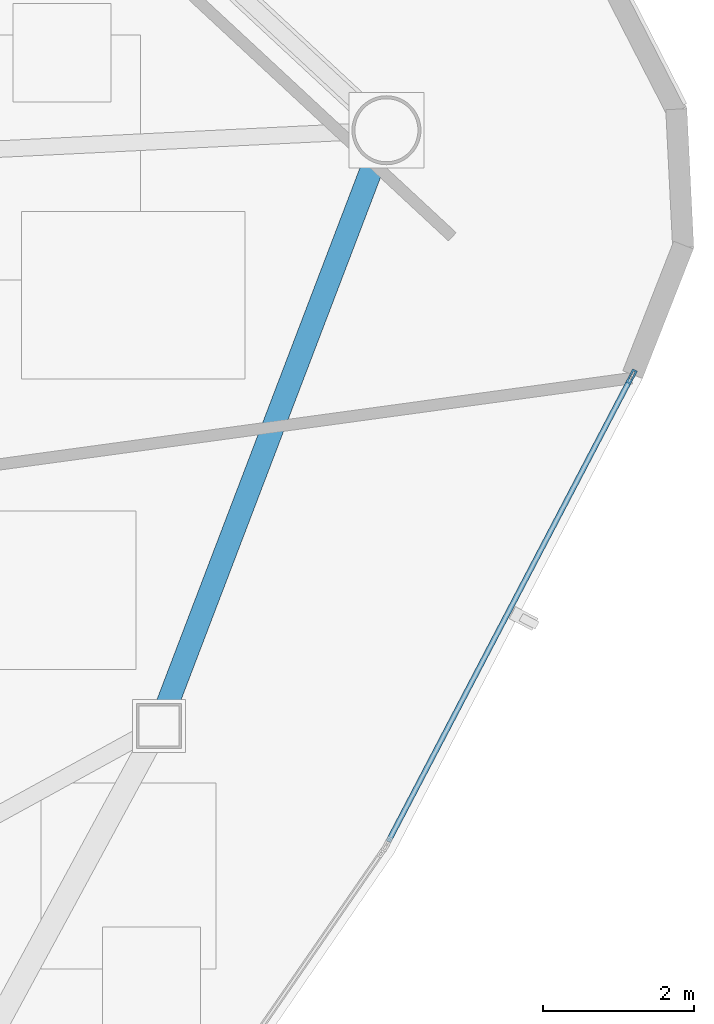
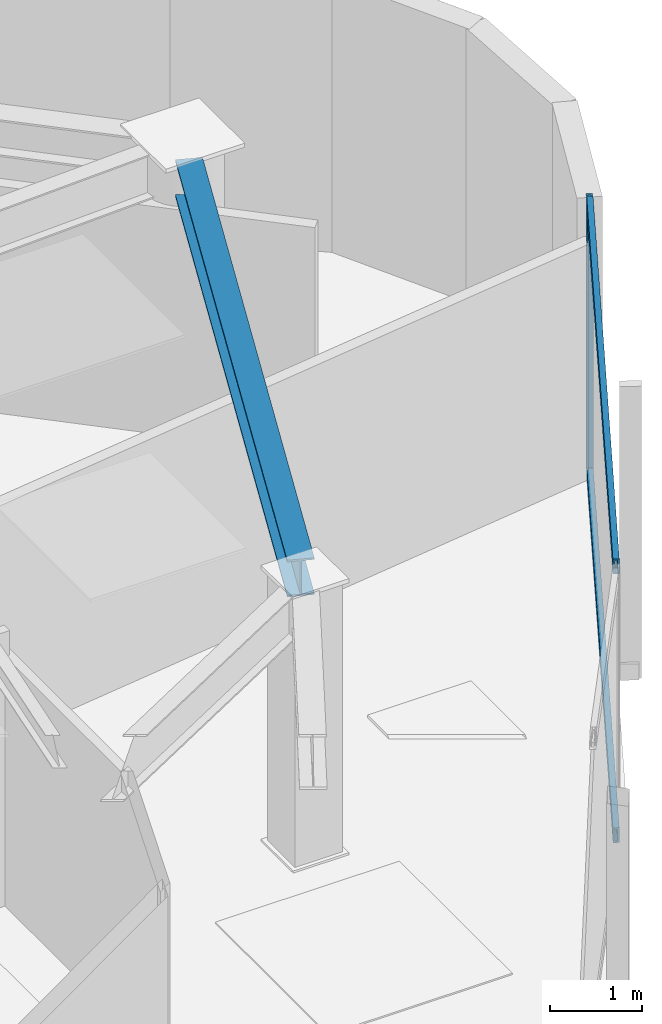
# One storey, part 6 of 15: 3 members, 1 beam, 1 element without a shape of its own.
"""IFC4 building model written with IfcOpenShell, lengths in metres."""

from ifc_helpers import new_model, si_unit, direction, frame, origin, origin_2d, place, context, subcontext, project, spatial, hollow_rectangle, i_section, extrude, source, transform, mapped, material, layer, layer_set, material_profile, profile_set, type_object, type_shapes, element, aggregate, save


model = new_model("IFC4")

# Units and contexts
model_context = context("Model", 3, precision=1e-05, world=origin(), true_north=direction((0.0, 1.0)))
body_context = subcontext(model_context, "Body", "Model", "MODEL_VIEW")
ifc_project = project(units=[si_unit("LENGTHUNIT", "METRE"), si_unit("AREAUNIT", "SQUARE_METRE"), si_unit("VOLUMEUNIT", "CUBIC_METRE"), si_unit("PLANEANGLEUNIT", "RADIAN"), si_unit("MASSUNIT", "GRAM", prefix="KILO")], contexts=[model_context])

# Site, building, storey
site_placement = place(None, origin())
site = spatial("IfcSite", under=ifc_project, at=site_placement, CompositionType="ELEMENT")
building_placement = place(site_placement, origin())
building = spatial("IfcBuilding", under=site, at=building_placement, Name="Tavelor Broadcast Tower", CompositionType="ELEMENT")
storey_placement = place(building_placement, frame((0.0, 0.0, 230.050048828125)))
storey = spatial("IfcBuildingStorey", under=building, at=storey_placement, Name="L54", CompositionType="ELEMENT", Elevation=230.050048828125)

# Beam
ifc_material_1 = material(Name="Steel S355", Category="steel")
ifc_material_profile_1 = material_profile(ifc_material_1, i_section(OverallWidth=0.300048828125, OverallDepth=0.489990234375, WebThickness=0.011962890625, FlangeThickness=0.02294921875, at=origin_2d()), Name="HEA 500")
ifc_profile_set_1 = profile_set([ifc_material_profile_1], Name="Steel S355")
beam_type = type_object("IfcBeamType", Name="Perimeter Spandrel Beam T5 HEA 500", PredefinedType="SPANDREL", material=ifc_profile_set_1)
beam_placement = place(storey_placement, frame((66.010009765625, 44.178466796875, 3.405029296875), z_axis=(0.356691025332, 0.934222410589, 0.0), x_axis=(-0.934222410589, 0.356691025332, 0.0)))
element("IfcBeam", 1, at=beam_placement, inside=storey, type_object=beam_type, Name="L54 Framed-Tube Ring Spandrel 12", PredefinedType="SPANDREL", context=body_context, shape_type="SweptSolid", body=[
    extrude(i_section(OverallWidth=0.300048828125, OverallDepth=0.489990234375, WebThickness=0.011962890625, FlangeThickness=0.02294921875, at=origin_2d()), origin(), (0.0, 0.0, 1.0), 7.71875),
])

# Curtain wall, members
ifc_material_2 = material(Name="Architectural Anodized Aluminium", Category="aluminium")
ifc_layer = layer(ifc_material_2, 0.199951171875)
ifc_layer_set = layer_set([ifc_layer], Name="Architectural Anodized Aluminium")
curtain_wall_type = type_object("IfcCurtainWallType", Name="Tower High-Zone Triple-Glazed Curtain Wall CW04", PredefinedType="NOTDEFINED", material=ifc_layer_set)
curtain_wall_placement = place(storey_placement, origin())
curtain_wall = element("IfcCurtainWall", 2, at=curtain_wall_placement, inside=storey, type_object=curtain_wall_type, Name="L54 Curtain Wall CW04 Run 584", PredefinedType="NOTDEFINED")
ifc_material_profile_2 = material_profile(ifc_material_2, hollow_rectangle(XDim=0.070068359375, YDim=0.199951171875, WallThickness=0.02197265625, at=origin_2d()), Name="RHS 70x200x22")
ifc_profile_set_2 = profile_set([ifc_material_profile_2], Name="Architectural Anodized Aluminium")
member_type_1 = type_object("IfcMemberType", Name="CW04 Extruded Aluminium Mullion 70x200", PredefinedType="MULLION", material=ifc_profile_set_2)
shared_shape_1 = source(origin(), body_context, "Body", "SweptSolid", [
    extrude(hollow_rectangle(XDim=0.070068359375, YDim=0.199951171875, WallThickness=0.02197265625, at=origin_2d()), origin(), (0.0, 0.0, 1.0), 3.64990234375),
])
type_shapes(member_type_1, [shared_shape_1])
member_1_placement = place(storey_placement, frame((72.165771484375, 48.53564453125, 0.0), z_axis=(0.0, 0.0, 1.0), x_axis=(-0.886015431891, 0.463655749938, 0.0)))
member_1 = element("IfcMember", 3, at=member_1_placement, type_object=member_type_1, Name="CW04 mullion 2", PredefinedType="MULLION", context=body_context, shape_type="MappedRepresentation", body=[
    mapped(shared_shape_1, transform((0.0, 0.0, 0.0), scale=1.0)),
])
ifc_material_profile_3 = material_profile(ifc_material_2, hollow_rectangle(XDim=0.070068359375, YDim=0.199951171875, WallThickness=0.02197265625, at=origin_2d()), Name="RHS 70x200x22")
ifc_profile_set_3 = profile_set([ifc_material_profile_3], Name="Architectural Anodized Aluminium")
member_type_2 = type_object("IfcMemberType", Name="CW04 Extruded Aluminium Transom 70x200", PredefinedType="USERDEFINED", material=ifc_profile_set_3)
shared_shape_2 = source(origin(), body_context, "Body", "SweptSolid", [
    extrude(hollow_rectangle(XDim=0.070068359375, YDim=0.199951171875, WallThickness=0.02197265625, at=origin_2d()), origin(), (0.0, 0.0, 1.0), 6.913818359375),
])
type_shapes(member_type_2, [shared_shape_2])
member_2_placement = place(storey_placement, frame((68.94384765625, 42.37890625, 0.034912109375), z_axis=(0.463649373571, 0.886018768643, 0.0), x_axis=(-0.886018768643, 0.463649373571, 0.0)))
member_2 = element("IfcMember", 4, at=member_2_placement, type_object=member_type_2, Name="CW04 transom 1.1", ObjectType="TRANSOM", PredefinedType="USERDEFINED", context=body_context, shape_type="MappedRepresentation", body=[
    mapped(shared_shape_2, transform((0.0, 0.0, 0.0), scale=1.0)),
])
member_3_placement = place(storey_placement, frame((68.94384765625, 42.37890625, 3.614990234375), z_axis=(0.463649373571, 0.886018768643, 0.0), x_axis=(-0.886018768643, 0.463649373571, 0.0)))
member_3 = element("IfcMember", 5, at=member_3_placement, type_object=member_type_2, Name="CW04 transom 1.2", ObjectType="TRANSOM", PredefinedType="USERDEFINED", context=body_context, shape_type="MappedRepresentation", body=[
    mapped(shared_shape_2, transform((0.0, 0.0, 0.0), scale=1.0)),
])
aggregate(curtain_wall, [member_1, member_2, member_3])

save(model, "model.ifc")
